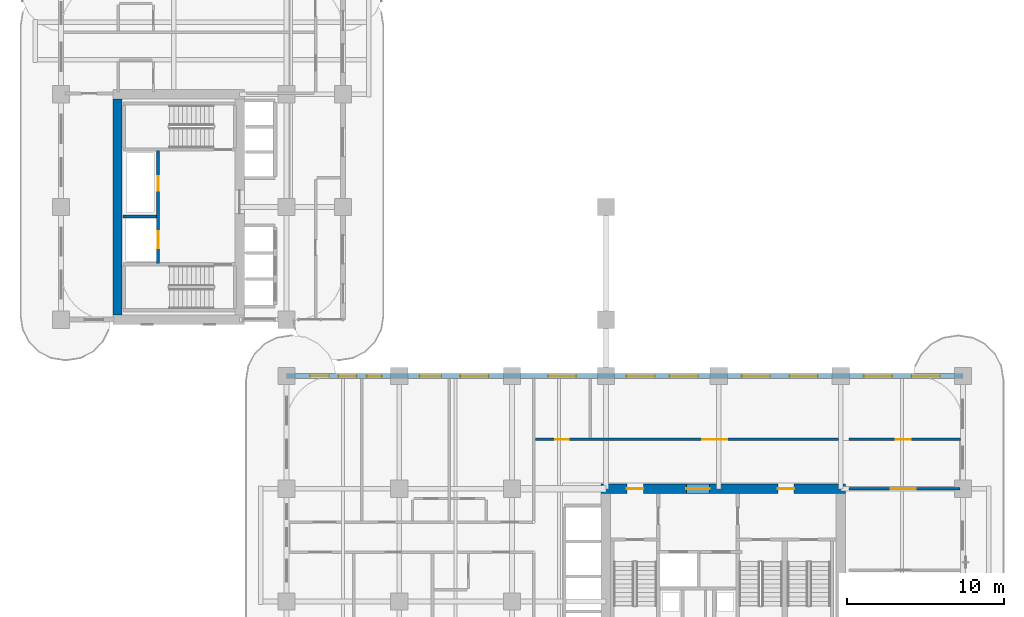
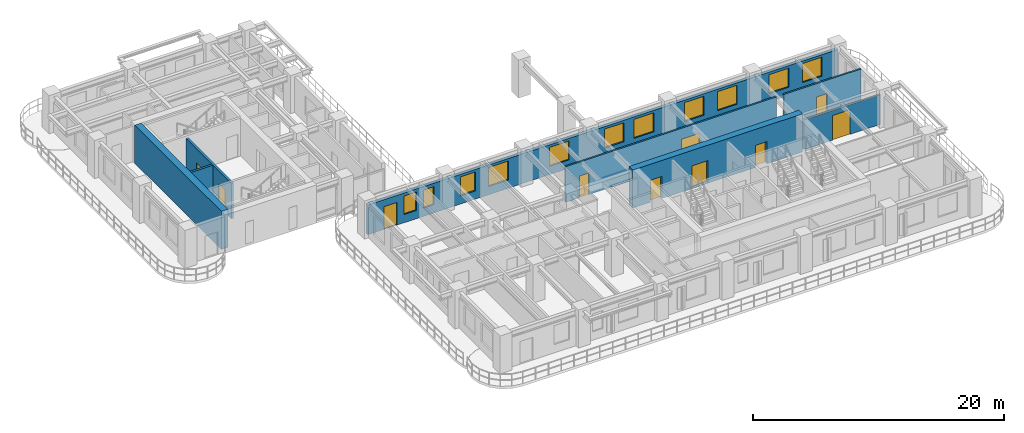
# One storey, part 10 of 19: 11 windows, 10 doors, 8 walls, 21 openings.
"""IFC4 building model written with IfcOpenShell, lengths in metres."""

from ifc_helpers import new_model, si_unit, derived_unit, direction, frame, frame_2d, origin, place, context, subcontext, project, spatial, rectangle, extrude, source, transform, mapped, material, layer, layer_set, type_object, type_shapes, element, fill, save


model = new_model("IFC4")

# Units and contexts
model_context = context("Model", 3, precision=1e-05, world=origin(), true_north=direction((0.0, 1.0)))
body_context = subcontext(model_context, "Body", "Model", "MODEL_VIEW")
ifc_project = project(units=[si_unit("LENGTHUNIT", "METRE"), si_unit("AREAUNIT", "SQUARE_METRE"), si_unit("VOLUMEUNIT", "CUBIC_METRE"), si_unit("PLANEANGLEUNIT", "RADIAN"), si_unit("MASSUNIT", "GRAM", prefix="KILO"), si_unit("THERMODYNAMICTEMPERATUREUNIT", "KELVIN"), si_unit("POWERUNIT", "WATT"), derived_unit("THERMALTRANSMITTANCEUNIT", [(si_unit("POWERUNIT", "WATT"), 1), (si_unit("AREAUNIT", "SQUARE_METRE"), -1), (si_unit("THERMODYNAMICTEMPERATUREUNIT", "KELVIN"), -1)])], contexts=[model_context])

# Site, building, storey
site_placement = place(None, origin())
site = spatial("IfcSite", under=ifc_project, at=site_placement, CompositionType="ELEMENT")
building_placement = place(site_placement, origin())
building = spatial("IfcBuilding", under=site, at=building_placement, Name="Zahravan Archway Hotel and Residences", CompositionType="ELEMENT")
storey_placement = place(building_placement, frame((0.0, 0.0, 54.60009765625)))
storey = spatial("IfcBuildingStorey", under=building, at=storey_placement, Name="L12", CompositionType="ELEMENT", Elevation=54.60009765625)

# Wall, openings, doors
ifc_material_1 = material(Name="Concrete C70/85", Category="concrete")
ifc_layer_1 = layer(ifc_material_1, 0.60009765625, Name="Concrete C70/85", Category="concrete")
ifc_layer_set_1 = layer_set([ifc_layer_1], Name="Concrete C70/85")
wall_type_1 = type_object("IfcWallType", Name="CW-CORE-600", PredefinedType="SHEAR", material=ifc_layer_set_1)
wall_1_placement = place(storey_placement, frame((34.5, 14.39990234375, 0.0), z_axis=(0.0, 0.0, 1.0), x_axis=(1.0, 0.0, 0.0)))
wall_1 = element("IfcWall", 1, at=wall_1_placement, inside=storey, type_object=wall_type_1, Name="L12 Core A Shear N Wall 600 mm", PredefinedType="SHEAR", context=body_context, shape_type="SweptSolid", body=[
    extrude(rectangle(XDim=15.60009765625, YDim=0.60009765625, at=frame_2d((7.800048828125, 0.0))), origin(), (0.0, 0.0, 1.0), 3.699951171875),
])
opening_1_placement = place(wall_1_placement, frame((5.429931640625, 0.0, 0.0)))
opening_1 = element("IfcOpeningElement", 2, at=opening_1_placement, cuts=wall_1, Name="Opening FD-L1", PredefinedType="OPENING", context=body_context, shape_type="SweptSolid", body=[
    extrude(rectangle(XDim=1.5, YDim=2.199951171875, at=frame_2d((0.75, 1.10009765625))), frame((0.0, 0.31005859375, 0.0), z_axis=(0.0, -1.0, 0.0), x_axis=(1.0, 0.0, 0.0)), (0.0, 0.0, 1.0), 0.6201171875),
])
opening_2_placement = place(wall_1_placement, frame((1.64501953125, 0.0, 0.0)))
opening_2 = element("IfcOpeningElement", 3, at=opening_2_placement, cuts=wall_1, Name="Opening FD-L2", PredefinedType="OPENING", context=body_context, shape_type="SweptSolid", body=[
    extrude(rectangle(XDim=1.050048828125, YDim=2.14990234375, at=frame_2d((0.52490234375, 1.074951171875))), frame((0.0, 0.31005859375, 0.0), z_axis=(0.0, -1.0, 0.0), x_axis=(1.0, 0.0, 0.0)), (0.0, 0.0, 1.0), 0.6201171875),
])
opening_3_placement = place(wall_1_placement, frame((11.27490234375, 0.0, 0.0)))
opening_3 = element("IfcOpeningElement", 4, at=opening_3_placement, cuts=wall_1, Name="Opening FD-L2", PredefinedType="OPENING", context=body_context, shape_type="SweptSolid", body=[
    extrude(rectangle(XDim=1.050048828125, YDim=2.14990234375, at=frame_2d((0.52490234375, 1.074951171875))), frame((0.0, 0.31005859375, 0.0), z_axis=(0.0, -1.0, 0.0), x_axis=(1.0, 0.0, 0.0)), (0.0, 0.0, 1.0), 0.6201171875),
])
ifc_material_2 = material(Name="Fire-Rated Painted Steel", Category="steel")
door_type_1 = type_object("IfcDoorType", Name="FD-LOBBY-1100", OperationType="NOTDEFINED", PredefinedType="DOOR", material=ifc_material_2)
shared_shape_1 = source(origin(), body_context, "Body", "SweptSolid", [
    extrude(rectangle(XDim=1.050048828125, YDim=2.14990234375, at=frame_2d((0.52490234375, 1.074951171875))), frame((0.0, 0.02490234375, 0.0), z_axis=(0.0, -1.0, 0.0), x_axis=(1.0, 0.0, 0.0)), (0.0, 0.0, 1.0), 0.050048828125),
])
type_shapes(door_type_1, [shared_shape_1])
door_1_placement = place(opening_2_placement, origin())
door_1 = element("IfcDoor", 5, at=door_1_placement, inside=storey, type_object=door_type_1, Name="L12 Core A West Stair Lobby Door", OperationType="SINGLE_SWING_RIGHT", OverallHeight=2.14990234375, OverallWidth=1.050048828125, PredefinedType="DOOR", context=body_context, shape_type="MappedRepresentation", body=[
    mapped(shared_shape_1, transform((0.0, 0.0, 0.0), scale=1.0)),
])
fill(opening_2, door_1)
door_2_placement = place(opening_3_placement, origin())
door_2 = element("IfcDoor", 6, at=door_2_placement, inside=storey, type_object=door_type_1, Name="L12 Core A East Stair Lobby Door", OperationType="SINGLE_SWING_LEFT", OverallHeight=2.14990234375, OverallWidth=1.050048828125, PredefinedType="DOOR", context=body_context, shape_type="MappedRepresentation", body=[
    mapped(shared_shape_1, transform((0.0, 0.0, 0.0), scale=1.0)),
])
fill(opening_3, door_2)
door_type_2 = type_object("IfcDoorType", Name="FD-LOBBY-1500", OperationType="DOUBLE_DOOR_SINGLE_SWING", PredefinedType="DOOR", material=ifc_material_2)
shared_shape_2 = source(origin(), body_context, "Body", "SweptSolid", [
    extrude(rectangle(XDim=1.5, YDim=2.199951171875, at=frame_2d((0.75, 1.10009765625))), frame((0.0, 0.02490234375, 0.0), z_axis=(0.0, -1.0, 0.0), x_axis=(1.0, 0.0, 0.0)), (0.0, 0.0, 1.0), 0.050048828125),
])
type_shapes(door_type_2, [shared_shape_2])
door_3_placement = place(opening_1_placement, origin())
door_3 = element("IfcDoor", 7, at=door_3_placement, inside=storey, type_object=door_type_2, Name="L12 Core A FSAE Lobby Main Door", OperationType="DOUBLE_DOOR_SINGLE_SWING", OverallHeight=2.199951171875, OverallWidth=1.5, PredefinedType="DOOR", context=body_context, shape_type="MappedRepresentation", body=[
    mapped(shared_shape_2, transform((0.0, 0.0, 0.0), scale=1.0)),
])
fill(opening_1, door_3)

# Wall
wall_2_placement = place(storey_placement, frame((3.60009765625, 25.5, 0.0), z_axis=(0.0, 0.0, 1.0), x_axis=(0.0, 1.0, 0.0)))
element("IfcWall", 8, at=wall_2_placement, inside=storey, type_object=wall_type_1, Name="L12 Core B Shear W Wall 600 mm", PredefinedType="SHEAR", context=body_context, shape_type="SweptSolid", body=[
    extrude(rectangle(XDim=13.800048828125, YDim=0.60009765625, at=frame_2d((6.89990234375, 0.0))), origin(), (0.0, 0.0, 1.0), 3.699951171875),
])

# Wall, openings, door, windows
ifc_material_3 = material(Name="Agra Buff Sandstone & Insulated Backup", Category="masonry")
ifc_layer_2 = layer(ifc_material_3, 0.320068359375, Name="Agra Buff Sandstone & Insulated Backup", Category="masonry")
ifc_layer_set_2 = layer_set([ifc_layer_2], Name="Agra Buff Sandstone & Insulated Backup")
wall_type_2 = type_object("IfcWallType", Name="EW-SAND-320", PredefinedType="SOLIDWALL", material=ifc_layer_set_2)
wall_3_placement = place(storey_placement, frame((14.39990234375, 21.60009765625, 0.0), z_axis=(0.0, 0.0, 1.0), x_axis=(1.0, 0.0, 0.0)))
wall_3 = element("IfcWall", 9, at=wall_3_placement, inside=storey, type_object=wall_type_2, Name="L12 Exterior Sandstone Wall WA-NE", PredefinedType="SOLIDWALL", context=body_context, shape_type="SweptSolid", body=[
    extrude(rectangle(XDim=43.2001953125, YDim=0.320068359375, at=frame_2d((21.60009765625, 0.0))), origin(), (0.0, 0.0, 1.0), 2.885009765625),
])
opening_4_placement = place(wall_3_placement, frame((1.5, 0.0, 0.0)))
opening_4 = element("IfcOpeningElement", 10, at=opening_4_placement, cuts=wall_3, Name="Opening ED-BL1", PredefinedType="OPENING", context=body_context, shape_type="SweptSolid", body=[
    extrude(rectangle(XDim=1.199951171875, YDim=2.199951171875, at=frame_2d((0.60009765625, 1.10009765625))), frame((0.0, 0.169921875, 0.0), z_axis=(0.0, -1.0, 0.0), x_axis=(1.0, 0.0, 0.0)), (0.0, 0.0, 1.0), 0.340087890625),
])
opening_5_placement = place(wall_3_placement, frame((3.321044921875, 0.0, 0.800048828125)))
opening_5 = element("IfcOpeningElement", 11, at=opening_5_placement, cuts=wall_3, Name="Opening W-05", PredefinedType="OPENING", context=body_context, shape_type="SweptSolid", body=[
    extrude(rectangle(XDim=1.14990234375, YDim=1.800048828125, at=frame_2d((0.574951171875, 0.89990234375))), frame((0.0, 0.169921875, 0.0), z_axis=(0.0, -1.0, 0.0), x_axis=(1.0, 0.0, 0.0)), (0.0, 0.0, 1.0), 0.340087890625),
])
opening_6_placement = place(wall_3_placement, frame((5.12890625, 0.0, 0.800048828125)))
opening_6 = element("IfcOpeningElement", 12, at=opening_6_placement, cuts=wall_3, Name="Opening W-04", PredefinedType="OPENING", context=body_context, shape_type="SweptSolid", body=[
    extrude(rectangle(XDim=0.949951171875, YDim=1.75, at=frame_2d((0.47509765625, 0.875))), frame((0.0, 0.169921875, 0.0), z_axis=(0.0, -1.0, 0.0), x_axis=(1.0, 0.0, 0.0)), (0.0, 0.0, 1.0), 0.340087890625),
])
opening_7_placement = place(wall_3_placement, frame((8.49609375, 0.0, 0.800048828125)))
opening_7 = element("IfcOpeningElement", 13, at=opening_7_placement, cuts=wall_3, Name="Opening W-03", PredefinedType="OPENING", context=body_context, shape_type="SweptSolid", body=[
    extrude(rectangle(XDim=1.39990234375, YDim=1.85009765625, at=frame_2d((0.699951171875, 0.925048828125))), frame((0.0, 0.169921875, 0.0), z_axis=(0.0, -1.0, 0.0), x_axis=(1.0, 0.0, 0.0)), (0.0, 0.0, 1.0), 0.340087890625),
])
opening_8_placement = place(wall_3_placement, frame((11.10400390625, 0.0, 0.800048828125)))
opening_8 = element("IfcOpeningElement", 14, at=opening_8_placement, cuts=wall_3, Name="Opening W-02", PredefinedType="OPENING", context=body_context, shape_type="SweptSolid", body=[
    extrude(rectangle(XDim=1.800048828125, YDim=1.85009765625, at=frame_2d((0.89990234375, 0.925048828125))), frame((0.0, 0.169921875, 0.0), z_axis=(0.0, -1.0, 0.0), x_axis=(1.0, 0.0, 0.0)), (0.0, 0.0, 1.0), 0.340087890625),
])
opening_9_placement = place(wall_3_placement, frame((16.700927734375, 0.0, 0.800048828125)))
opening_9 = element("IfcOpeningElement", 15, at=opening_9_placement, cuts=wall_3, Name="Opening W-02", PredefinedType="OPENING", context=body_context, shape_type="SweptSolid", body=[
    extrude(rectangle(XDim=1.800048828125, YDim=1.85009765625, at=frame_2d((0.89990234375, 0.925048828125))), frame((0.0, 0.169921875, 0.0), z_axis=(0.0, -1.0, 0.0), x_axis=(1.0, 0.0, 0.0)), (0.0, 0.0, 1.0), 0.340087890625),
])
opening_10_placement = place(wall_3_placement, frame((21.72509765625, 0.0, 0.800048828125)))
opening_10 = element("IfcOpeningElement", 16, at=opening_10_placement, cuts=wall_3, Name="Opening W-02", PredefinedType="OPENING", context=body_context, shape_type="SweptSolid", body=[
    extrude(rectangle(XDim=1.800048828125, YDim=1.85009765625, at=frame_2d((0.89990234375, 0.925048828125))), frame((0.0, 0.169921875, 0.0), z_axis=(0.0, -1.0, 0.0), x_axis=(1.0, 0.0, 0.0)), (0.0, 0.0, 1.0), 0.340087890625),
])
opening_11_placement = place(wall_3_placement, frame((24.47509765625, 0.0, 0.800048828125)))
opening_11 = element("IfcOpeningElement", 17, at=opening_11_placement, cuts=wall_3, Name="Opening W-02", PredefinedType="OPENING", context=body_context, shape_type="SweptSolid", body=[
    extrude(rectangle(XDim=1.800048828125, YDim=1.85009765625, at=frame_2d((0.89990234375, 0.925048828125))), frame((0.0, 0.169921875, 0.0), z_axis=(0.0, -1.0, 0.0), x_axis=(1.0, 0.0, 0.0)), (0.0, 0.0, 1.0), 0.340087890625),
])
opening_12_placement = place(wall_3_placement, frame((29.074951171875, 0.0, 0.800048828125)))
opening_12 = element("IfcOpeningElement", 18, at=opening_12_placement, cuts=wall_3, Name="Opening W-02", PredefinedType="OPENING", context=body_context, shape_type="SweptSolid", body=[
    extrude(rectangle(XDim=1.800048828125, YDim=1.85009765625, at=frame_2d((0.89990234375, 0.925048828125))), frame((0.0, 0.169921875, 0.0), z_axis=(0.0, -1.0, 0.0), x_axis=(1.0, 0.0, 0.0)), (0.0, 0.0, 1.0), 0.340087890625),
])
opening_13_placement = place(wall_3_placement, frame((32.125, 0.0, 0.800048828125)))
opening_13 = element("IfcOpeningElement", 19, at=opening_13_placement, cuts=wall_3, Name="Opening W-02", PredefinedType="OPENING", context=body_context, shape_type="SweptSolid", body=[
    extrude(rectangle(XDim=1.800048828125, YDim=1.85009765625, at=frame_2d((0.89990234375, 0.925048828125))), frame((0.0, 0.169921875, 0.0), z_axis=(0.0, -1.0, 0.0), x_axis=(1.0, 0.0, 0.0)), (0.0, 0.0, 1.0), 0.340087890625),
])
opening_14_placement = place(wall_3_placement, frame((36.875, 0.0, 0.800048828125)))
opening_14 = element("IfcOpeningElement", 20, at=opening_14_placement, cuts=wall_3, Name="Opening W-02", PredefinedType="OPENING", context=body_context, shape_type="SweptSolid", body=[
    extrude(rectangle(XDim=1.800048828125, YDim=1.85009765625, at=frame_2d((0.89990234375, 0.925048828125))), frame((0.0, 0.169921875, 0.0), z_axis=(0.0, -1.0, 0.0), x_axis=(1.0, 0.0, 0.0)), (0.0, 0.0, 1.0), 0.340087890625),
])
opening_15_placement = place(wall_3_placement, frame((39.925048828125, 0.0, 0.800048828125)))
opening_15 = element("IfcOpeningElement", 21, at=opening_15_placement, cuts=wall_3, Name="Opening W-02", PredefinedType="OPENING", context=body_context, shape_type="SweptSolid", body=[
    extrude(rectangle(XDim=1.800048828125, YDim=1.85009765625, at=frame_2d((0.89990234375, 0.925048828125))), frame((0.0, 0.169921875, 0.0), z_axis=(0.0, -1.0, 0.0), x_axis=(1.0, 0.0, 0.0)), (0.0, 0.0, 1.0), 0.340087890625),
])
ifc_material_4 = material(Name="Bronze-Anodized Glazed Aluminium", Category="aluminium")
door_type_3 = type_object("IfcDoorType", Name="ED-BALC-1200", OperationType="SLIDING_TO_LEFT", PredefinedType="DOOR", material=ifc_material_4)
shared_shape_3 = source(origin(), body_context, "Body", "SweptSolid", [
    extrude(rectangle(XDim=1.199951171875, YDim=2.199951171875, at=frame_2d((0.60009765625, 1.10009765625))), frame((0.0, 0.02490234375, 0.0), z_axis=(0.0, -1.0, 0.0), x_axis=(1.0, 0.0, 0.0)), (0.0, 0.0, 1.0), 0.050048828125),
])
type_shapes(door_type_3, [shared_shape_3])
door_4_placement = place(opening_4_placement, origin())
door_4 = element("IfcDoor", 22, at=door_4_placement, inside=storey, type_object=door_type_3, Name="L12 Outdoor Access Sliding Door (SLB-BAL-L12-WA)", OperationType="SLIDING_TO_LEFT", OverallHeight=2.199951171875, OverallWidth=1.199951171875, PredefinedType="DOOR", context=body_context, shape_type="MappedRepresentation", body=[
    mapped(shared_shape_3, transform((0.0, 0.0, 0.0), scale=1.0)),
])
fill(opening_4, door_4)
ifc_material_5 = material(Name="Bronze-Anodized Thermal-Break Aluminium & Low-E Glass", Category="aluminium")
window_type_1 = type_object("IfcWindowType", Name="WIN-TWR-1400", PartitioningType="SINGLE_PANEL", PredefinedType="WINDOW", material=ifc_material_5)
shared_shape_4 = source(origin(), body_context, "Body", "SweptSolid", [
    extrude(rectangle(XDim=1.39990234375, YDim=1.85009765625, at=frame_2d((0.699951171875, 0.925048828125))), frame((0.0, 0.030029296875, 0.0), z_axis=(0.0, -1.0, 0.0), x_axis=(1.0, 0.0, 0.0)), (0.0, 0.0, 1.0), 0.06005859375),
])
type_shapes(window_type_1, [shared_shape_4])
window_1_placement = place(opening_7_placement, origin())
window_1 = element("IfcWindow", 23, at=window_1_placement, inside=storey, type_object=window_type_1, Name="L12 Loggia Window 18", OverallHeight=1.85009765625, OverallWidth=1.39990234375, PartitioningType="SINGLE_PANEL", PredefinedType="WINDOW", context=body_context, shape_type="MappedRepresentation", body=[
    mapped(shared_shape_4, transform((0.0, 0.0, 0.0), scale=1.0)),
])
fill(opening_7, window_1)
window_type_2 = type_object("IfcWindowType", Name="WIN-NAR-950", PartitioningType="SINGLE_PANEL", PredefinedType="WINDOW", material=ifc_material_5)
shared_shape_5 = source(origin(), body_context, "Body", "SweptSolid", [
    extrude(rectangle(XDim=0.949951171875, YDim=1.75, at=frame_2d((0.47509765625, 0.875))), frame((0.0, 0.030029296875, 0.0), z_axis=(0.0, -1.0, 0.0), x_axis=(1.0, 0.0, 0.0)), (0.0, 0.0, 1.0), 0.06005859375),
])
type_shapes(window_type_2, [shared_shape_5])
window_2_placement = place(opening_6_placement, origin())
window_2 = element("IfcWindow", 24, at=window_2_placement, inside=storey, type_object=window_type_2, Name="L12 Loggia Window 17", OverallHeight=1.75, OverallWidth=0.949951171875, PartitioningType="SINGLE_PANEL", PredefinedType="WINDOW", context=body_context, shape_type="MappedRepresentation", body=[
    mapped(shared_shape_5, transform((0.0, 0.0, 0.0), scale=1.0)),
])
fill(opening_6, window_2)
window_type_3 = type_object("IfcWindowType", Name="WIN-TWR-1800", PartitioningType="DOUBLE_PANEL_VERTICAL", PredefinedType="WINDOW", material=ifc_material_5)
shared_shape_6 = source(origin(), body_context, "Body", "SweptSolid", [
    extrude(rectangle(XDim=1.800048828125, YDim=1.85009765625, at=frame_2d((0.89990234375, 0.925048828125))), frame((0.0, 0.030029296875, 0.0), z_axis=(0.0, -1.0, 0.0), x_axis=(1.0, 0.0, 0.0)), (0.0, 0.0, 1.0), 0.06005859375),
])
type_shapes(window_type_3, [shared_shape_6])
window_3_placement = place(opening_8_placement, origin())
window_3 = element("IfcWindow", 25, at=window_3_placement, inside=storey, type_object=window_type_3, Name="L12 Loggia Window 19", OverallHeight=1.85009765625, OverallWidth=1.800048828125, PartitioningType="DOUBLE_PANEL_VERTICAL", PredefinedType="WINDOW", context=body_context, shape_type="MappedRepresentation", body=[
    mapped(shared_shape_6, transform((0.0, 0.0, 0.0), scale=1.0)),
])
fill(opening_8, window_3)
window_4_placement = place(opening_9_placement, origin())
window_4 = element("IfcWindow", 26, at=window_4_placement, inside=storey, type_object=window_type_3, Name="L12 Loggia Window 20", OverallHeight=1.85009765625, OverallWidth=1.800048828125, PartitioningType="DOUBLE_PANEL_VERTICAL", PredefinedType="WINDOW", context=body_context, shape_type="MappedRepresentation", body=[
    mapped(shared_shape_6, transform((0.0, 0.0, 0.0), scale=1.0)),
])
fill(opening_9, window_4)
window_5_placement = place(opening_10_placement, origin())
window_5 = element("IfcWindow", 27, at=window_5_placement, inside=storey, type_object=window_type_3, Name="L12 Loggia Window 21", OverallHeight=1.85009765625, OverallWidth=1.800048828125, PartitioningType="DOUBLE_PANEL_VERTICAL", PredefinedType="WINDOW", context=body_context, shape_type="MappedRepresentation", body=[
    mapped(shared_shape_6, transform((0.0, 0.0, 0.0), scale=1.0)),
])
fill(opening_10, window_5)
window_6_placement = place(opening_11_placement, origin())
window_6 = element("IfcWindow", 28, at=window_6_placement, inside=storey, type_object=window_type_3, Name="L12 Loggia Window 22", OverallHeight=1.85009765625, OverallWidth=1.800048828125, PartitioningType="DOUBLE_PANEL_VERTICAL", PredefinedType="WINDOW", context=body_context, shape_type="MappedRepresentation", body=[
    mapped(shared_shape_6, transform((0.0, 0.0, 0.0), scale=1.0)),
])
fill(opening_11, window_6)
window_7_placement = place(opening_12_placement, origin())
window_7 = element("IfcWindow", 29, at=window_7_placement, inside=storey, type_object=window_type_3, Name="L12 Loggia Window 23", OverallHeight=1.85009765625, OverallWidth=1.800048828125, PartitioningType="DOUBLE_PANEL_VERTICAL", PredefinedType="WINDOW", context=body_context, shape_type="MappedRepresentation", body=[
    mapped(shared_shape_6, transform((0.0, 0.0, 0.0), scale=1.0)),
])
fill(opening_12, window_7)
window_8_placement = place(opening_13_placement, origin())
window_8 = element("IfcWindow", 30, at=window_8_placement, inside=storey, type_object=window_type_3, Name="L12 Loggia Window 24", OverallHeight=1.85009765625, OverallWidth=1.800048828125, PartitioningType="DOUBLE_PANEL_VERTICAL", PredefinedType="WINDOW", context=body_context, shape_type="MappedRepresentation", body=[
    mapped(shared_shape_6, transform((0.0, 0.0, 0.0), scale=1.0)),
])
fill(opening_13, window_8)
window_9_placement = place(opening_14_placement, origin())
window_9 = element("IfcWindow", 31, at=window_9_placement, inside=storey, type_object=window_type_3, Name="L12 Loggia Window 25", OverallHeight=1.85009765625, OverallWidth=1.800048828125, PartitioningType="DOUBLE_PANEL_VERTICAL", PredefinedType="WINDOW", context=body_context, shape_type="MappedRepresentation", body=[
    mapped(shared_shape_6, transform((0.0, 0.0, 0.0), scale=1.0)),
])
fill(opening_14, window_9)
window_10_placement = place(opening_15_placement, origin())
window_10 = element("IfcWindow", 32, at=window_10_placement, inside=storey, type_object=window_type_3, Name="L12 Loggia Window 26", OverallHeight=1.85009765625, OverallWidth=1.800048828125, PartitioningType="DOUBLE_PANEL_VERTICAL", PredefinedType="WINDOW", context=body_context, shape_type="MappedRepresentation", body=[
    mapped(shared_shape_6, transform((0.0, 0.0, 0.0), scale=1.0)),
])
fill(opening_15, window_10)
window_type_4 = type_object("IfcWindowType", Name="WIN-TWR-1150", PartitioningType="SINGLE_PANEL", PredefinedType="WINDOW", material=ifc_material_5)
shared_shape_7 = source(origin(), body_context, "Body", "SweptSolid", [
    extrude(rectangle(XDim=1.14990234375, YDim=1.800048828125, at=frame_2d((0.574951171875, 0.89990234375))), frame((0.0, 0.030029296875, 0.0), z_axis=(0.0, -1.0, 0.0), x_axis=(1.0, 0.0, 0.0)), (0.0, 0.0, 1.0), 0.06005859375),
])
type_shapes(window_type_4, [shared_shape_7])
window_11_placement = place(opening_5_placement, origin())
window_11 = element("IfcWindow", 33, at=window_11_placement, inside=storey, type_object=window_type_4, Name="L12 Loggia Window 16", OverallHeight=1.800048828125, OverallWidth=1.14990234375, PartitioningType="SINGLE_PANEL", PredefinedType="WINDOW", context=body_context, shape_type="MappedRepresentation", body=[
    mapped(shared_shape_7, transform((0.0, 0.0, 0.0), scale=1.0)),
])
fill(opening_5, window_11)

# Wall, openings, doors
ifc_material_6 = material(Name="Fire-Rated Gypsum & Concrete Block", Category="concrete")
ifc_layer_3 = layer(ifc_material_6, 0.159912109375, Name="Fire-Rated Gypsum & Concrete Block", Category="concrete")
ifc_layer_set_3 = layer_set([ifc_layer_3], Name="Fire-Rated Gypsum & Concrete Block")
wall_type_3 = type_object("IfcWallType", Name="PW-CORR-160", PredefinedType="PARTITIONING", material=ifc_layer_set_3)
wall_4_placement = place(storey_placement, frame((30.2900390625, 17.550048828125, 0.0), z_axis=(0.0, 0.0, 1.0), x_axis=(1.0, 0.0, 0.0)))
wall_4 = element("IfcWall", 34, at=wall_4_placement, inside=storey, type_object=wall_type_3, Name="L12 Partition WA-FN", PredefinedType="PARTITIONING", context=body_context, shape_type="SweptSolid", body=[
    extrude(rectangle(XDim=19.369873046875, YDim=0.159912109375, at=frame_2d((9.68505859375, 0.0))), origin(), (0.0, 0.0, 1.0), 3.449951171875),
])
opening_16_placement = place(wall_4_placement, frame((1.284912109375, 0.0, 0.0)))
opening_16 = element("IfcOpeningElement", 35, at=opening_16_placement, cuts=wall_4, Name="Opening D-B1", PredefinedType="OPENING", context=body_context, shape_type="SweptSolid", body=[
    extrude(rectangle(XDim=0.85009765625, YDim=2.10009765625, at=frame_2d((0.425048828125, 1.050048828125))), frame((0.0, 0.08984375, 0.0), z_axis=(0.0, -1.0, 0.0), x_axis=(1.0, 0.0, 0.0)), (0.0, 0.0, 1.0), 0.179931640625),
])
opening_17_placement = place(wall_4_placement, frame((10.659912109375, 0.0, 0.0)))
opening_17 = element("IfcOpeningElement", 36, at=opening_17_placement, cuts=wall_4, Name="Opening D-P2", PredefinedType="OPENING", context=body_context, shape_type="SweptSolid", body=[
    extrude(rectangle(XDim=1.60009765625, YDim=2.39990234375, at=frame_2d((0.800048828125, 1.199951171875))), frame((0.0, 0.08984375, 0.0), z_axis=(0.0, -1.0, 0.0), x_axis=(1.0, 0.0, 0.0)), (0.0, 0.0, 1.0), 0.179931640625),
])
door_type_4 = type_object("IfcDoorType", Name="ID-PUBLIC-1600", OperationType="DOUBLE_DOOR_SINGLE_SWING", PredefinedType="DOOR", material=ifc_material_4)
shared_shape_8 = source(origin(), body_context, "Body", "SweptSolid", [
    extrude(rectangle(XDim=1.60009765625, YDim=2.39990234375, at=frame_2d((0.800048828125, 1.199951171875))), frame((0.0, 0.02490234375, 0.0), z_axis=(0.0, -1.0, 0.0), x_axis=(1.0, 0.0, 0.0)), (0.0, 0.0, 1.0), 0.050048828125),
])
type_shapes(door_type_4, [shared_shape_8])
door_5_placement = place(opening_17_placement, origin())
door_5 = element("IfcDoor", 37, at=door_5_placement, inside=storey, type_object=door_type_4, Name="L12 North Fitness Gym Door", OperationType="DOUBLE_DOOR_SINGLE_SWING", OverallHeight=2.39990234375, OverallWidth=1.60009765625, PredefinedType="DOOR", context=body_context, shape_type="MappedRepresentation", body=[
    mapped(shared_shape_8, transform((0.0, 0.0, 0.0), scale=1.0)),
])
fill(opening_17, door_5)
ifc_material_7 = material(Name="Hardwood Veneer Timber", Category="wood")
door_type_5 = type_object("IfcDoorType", Name="ID-BATH-850", OperationType="NOTDEFINED", PredefinedType="DOOR", material=ifc_material_7)
shared_shape_9 = source(origin(), body_context, "Body", "SweptSolid", [
    extrude(rectangle(XDim=0.85009765625, YDim=2.10009765625, at=frame_2d((0.425048828125, 1.050048828125))), frame((0.0, 0.02490234375, 0.0), z_axis=(0.0, -1.0, 0.0), x_axis=(1.0, 0.0, 0.0)), (0.0, 0.0, 1.0), 0.050048828125),
])
type_shapes(door_type_5, [shared_shape_9])
door_6_placement = place(opening_16_placement, origin())
door_6 = element("IfcDoor", 38, at=door_6_placement, inside=storey, type_object=door_type_5, Name="L12 Accessible Restroom Door", OperationType="SINGLE_SWING_RIGHT", OverallHeight=2.10009765625, OverallWidth=0.85009765625, PredefinedType="DOOR", context=body_context, shape_type="MappedRepresentation", body=[
    mapped(shared_shape_9, transform((0.0, 0.0, 0.0), scale=1.0)),
])
fill(opening_16, door_6)

# Wall, opening, door
wall_5_placement = place(storey_placement, frame((50.340087890625, 17.550048828125, 0.0), z_axis=(0.0, 0.0, 1.0), x_axis=(1.0, 0.0, 0.0)))
wall_5 = element("IfcWall", 39, at=wall_5_placement, inside=storey, type_object=wall_type_3, Name="L12 Partition EA-PN", PredefinedType="PARTITIONING", context=body_context, shape_type="SweptSolid", body=[
    extrude(rectangle(XDim=7.091796875, YDim=0.159912109375, at=frame_2d((3.5458984375, 0.0))), origin(), (0.0, 0.0, 1.0), 3.449951171875),
])
opening_18_placement = place(wall_5_placement, frame((2.985107421875, 0.0, 0.0)))
opening_18 = element("IfcOpeningElement", 40, at=opening_18_placement, cuts=wall_5, Name="Opening D-I1", PredefinedType="OPENING", context=body_context, shape_type="SweptSolid", body=[
    extrude(rectangle(XDim=0.949951171875, YDim=2.14990234375, at=frame_2d((0.47509765625, 1.074951171875))), frame((0.0, 0.08984375, 0.0), z_axis=(0.0, -1.0, 0.0), x_axis=(1.0, 0.0, 0.0)), (0.0, 0.0, 1.0), 0.179931640625),
])
door_type_6 = type_object("IfcDoorType", Name="ID-INT-950", OperationType="NOTDEFINED", PredefinedType="DOOR", material=ifc_material_7)
shared_shape_10 = source(origin(), body_context, "Body", "SweptSolid", [
    extrude(rectangle(XDim=0.949951171875, YDim=2.14990234375, at=frame_2d((0.47509765625, 1.074951171875))), frame((0.0, 0.02490234375, 0.0), z_axis=(0.0, -1.0, 0.0), x_axis=(1.0, 0.0, 0.0)), (0.0, 0.0, 1.0), 0.050048828125),
])
type_shapes(door_type_6, [shared_shape_10])
door_7_placement = place(opening_18_placement, origin())
door_7 = element("IfcDoor", 41, at=door_7_placement, inside=storey, type_object=door_type_6, Name="L12 East Co-Working Office Door", OperationType="SINGLE_SWING_LEFT", OverallHeight=2.14990234375, OverallWidth=0.949951171875, PredefinedType="DOOR", context=body_context, shape_type="MappedRepresentation", body=[
    mapped(shared_shape_10, transform((0.0, 0.0, 0.0), scale=1.0)),
])
fill(opening_18, door_7)

# Wall, openings, doors
ifc_layer_4 = layer(ifc_material_6, 0.199951171875, Name="Fire-Rated Gypsum & Concrete Block", Category="concrete")
ifc_layer_set_4 = layer_set([ifc_layer_4], Name="Fire-Rated Gypsum & Concrete Block")
wall_type_4 = type_object("IfcWallType", Name="PW-SHAFT-200", PredefinedType="PARTITIONING", material=ifc_layer_set_4)
wall_6_placement = place(storey_placement, frame((6.199951171875, 28.7900390625, 0.0), z_axis=(0.0, 0.0, 1.0), x_axis=(0.0, 1.0, 0.0)))
wall_6 = element("IfcWall", 42, at=wall_6_placement, inside=storey, type_object=wall_type_4, Name="L12 Partition CB-FL3E", PredefinedType="PARTITIONING", context=body_context, shape_type="SweptSolid", body=[
    extrude(rectangle(XDim=7.219970703125, YDim=0.199951171875, at=frame_2d((3.60986328125, 0.0))), origin(), (0.0, 0.0, 1.0), 3.449951171875),
])
opening_19_placement = place(wall_6_placement, frame((4.659912109375, 0.0, 0.0)))
opening_19 = element("IfcOpeningElement", 43, at=opening_19_placement, cuts=wall_6, Name="Opening FD-R1", PredefinedType="OPENING", context=body_context, shape_type="SweptSolid", body=[
    extrude(rectangle(XDim=0.89990234375, YDim=2.10009765625, at=frame_2d((0.449951171875, 1.050048828125))), frame((0.0, 0.10986328125, 0.0), z_axis=(0.0, -1.0, 0.0), x_axis=(1.0, 0.0, 0.0)), (0.0, 0.0, 1.0), 0.219970703125),
])
opening_20_placement = place(wall_6_placement, frame((0.9599609375, 0.0, 0.0)))
opening_20 = element("IfcOpeningElement", 44, at=opening_20_placement, cuts=wall_6, Name="Opening LD", PredefinedType="OPENING", context=body_context, shape_type="SweptSolid", body=[
    extrude(rectangle(XDim=1.10009765625, YDim=2.199951171875, at=frame_2d((0.550048828125, 1.10009765625))), frame((0.0, 0.10986328125, 0.0), z_axis=(0.0, -1.0, 0.0), x_axis=(1.0, 0.0, 0.0)), (0.0, 0.0, 1.0), 0.219970703125),
])
door_type_7 = type_object("IfcDoorType", Name="FD-RISER-900", OperationType="NOTDEFINED", PredefinedType="DOOR", material=ifc_material_2)
shared_shape_11 = source(origin(), body_context, "Body", "SweptSolid", [
    extrude(rectangle(XDim=0.89990234375, YDim=2.10009765625, at=frame_2d((0.449951171875, 1.050048828125))), frame((0.0, 0.02490234375, 0.0), z_axis=(0.0, -1.0, 0.0), x_axis=(1.0, 0.0, 0.0)), (0.0, 0.0, 1.0), 0.050048828125),
])
type_shapes(door_type_7, [shared_shape_11])
door_8_placement = place(opening_19_placement, origin())
door_8 = element("IfcDoor", 45, at=door_8_placement, inside=storey, type_object=door_type_7, Name="L12 Core B Riser Door", OperationType="SINGLE_SWING_RIGHT", OverallHeight=2.10009765625, OverallWidth=0.89990234375, PredefinedType="DOOR", context=body_context, shape_type="MappedRepresentation", body=[
    mapped(shared_shape_11, transform((0.0, 0.0, 0.0), scale=1.0)),
])
fill(opening_19, door_8)
ifc_material_8 = material(Name="Brushed Stainless Steel", Category="steel")
door_type_8 = type_object("IfcDoorType", Name="DR-LIFT-LD", OperationType="SLIDING_TO_LEFT", PredefinedType="DOOR", material=ifc_material_8)
shared_shape_12 = source(origin(), body_context, "Body", "SweptSolid", [
    extrude(rectangle(XDim=1.10009765625, YDim=2.199951171875, at=frame_2d((0.550048828125, 1.10009765625))), frame((0.0, 0.02490234375, 0.0), z_axis=(0.0, -1.0, 0.0), x_axis=(1.0, 0.0, 0.0)), (0.0, 0.0, 1.0), 0.050048828125),
])
type_shapes(door_type_8, [shared_shape_12])
door_9_placement = place(opening_20_placement, origin())
door_9 = element("IfcDoor", 46, at=door_9_placement, inside=storey, type_object=door_type_8, Name="L12 Lift FL-3 Sliding Landing Door", OperationType="SLIDING_TO_LEFT", OverallHeight=2.199951171875, OverallWidth=1.10009765625, PredefinedType="DOOR", context=body_context, shape_type="MappedRepresentation", body=[
    mapped(shared_shape_12, transform((0.0, 0.0, 0.0), scale=1.0)),
])
fill(opening_20, door_9)

# Wall
wall_7_placement = place(storey_placement, frame((3.9599609375, 31.780029296875, 0.0), z_axis=(0.0, 0.0, 1.0), x_axis=(1.0, 0.0, 0.0)))
element("IfcWall", 47, at=wall_7_placement, inside=storey, type_object=wall_type_4, Name="L12 Partition CB-FL3N", PredefinedType="PARTITIONING", context=body_context, shape_type="SweptSolid", body=[
    extrude(rectangle(XDim=2.130126953125, YDim=0.199951171875, at=frame_2d((1.06494140625, 0.0))), origin(), (0.0, 0.0, 1.0), 3.449951171875),
])

# Wall, opening, door
ifc_material_9 = material(Name="Acoustic Stud Partition")
ifc_layer_5 = layer(ifc_material_9, 0.169921875, Name="Acoustic Stud Partition")
ifc_layer_set_5 = layer_set([ifc_layer_5], Name="Acoustic Stud Partition")
wall_type_5 = type_object("IfcWallType", Name="PW-UNIT-170", PredefinedType="PARTITIONING", material=ifc_layer_set_5)
wall_8_placement = place(storey_placement, frame((50.340087890625, 14.39990234375, 0.0), z_axis=(0.0, 0.0, 1.0), x_axis=(1.0, 0.0, 0.0)))
wall_8 = element("IfcWall", 48, at=wall_8_placement, inside=storey, type_object=wall_type_5, Name="L12 Partition EA-PS", PredefinedType="PARTITIONING", context=body_context, shape_type="SweptSolid", body=[
    extrude(rectangle(XDim=7.06982421875, YDim=0.169921875, at=frame_2d((3.534912109375, 0.0))), origin(), (0.0, 0.0, 1.0), 2.885009765625),
])
opening_21_placement = place(wall_8_placement, frame((2.659912109375, 0.0, 0.0)))
opening_21 = element("IfcOpeningElement", 49, at=opening_21_placement, cuts=wall_8, Name="Opening D-P2", PredefinedType="OPENING", context=body_context, shape_type="SweptSolid", body=[
    extrude(rectangle(XDim=1.60009765625, YDim=2.39990234375, at=frame_2d((0.800048828125, 1.199951171875))), frame((0.0, 0.094970703125, 0.0), z_axis=(0.0, -1.0, 0.0), x_axis=(1.0, 0.0, 0.0)), (0.0, 0.0, 1.0), 0.18994140625),
])
door_10_placement = place(opening_21_placement, origin())
door_10 = element("IfcDoor", 50, at=door_10_placement, inside=storey, type_object=door_type_4, Name="L12 East Banquet Dining Door", OperationType="DOUBLE_DOOR_SINGLE_SWING", OverallHeight=2.39990234375, OverallWidth=1.60009765625, PredefinedType="DOOR", context=body_context, shape_type="MappedRepresentation", body=[
    mapped(shared_shape_8, transform((0.0, 0.0, 0.0), scale=1.0)),
])
fill(opening_21, door_10)

save(model, "model.ifc")
